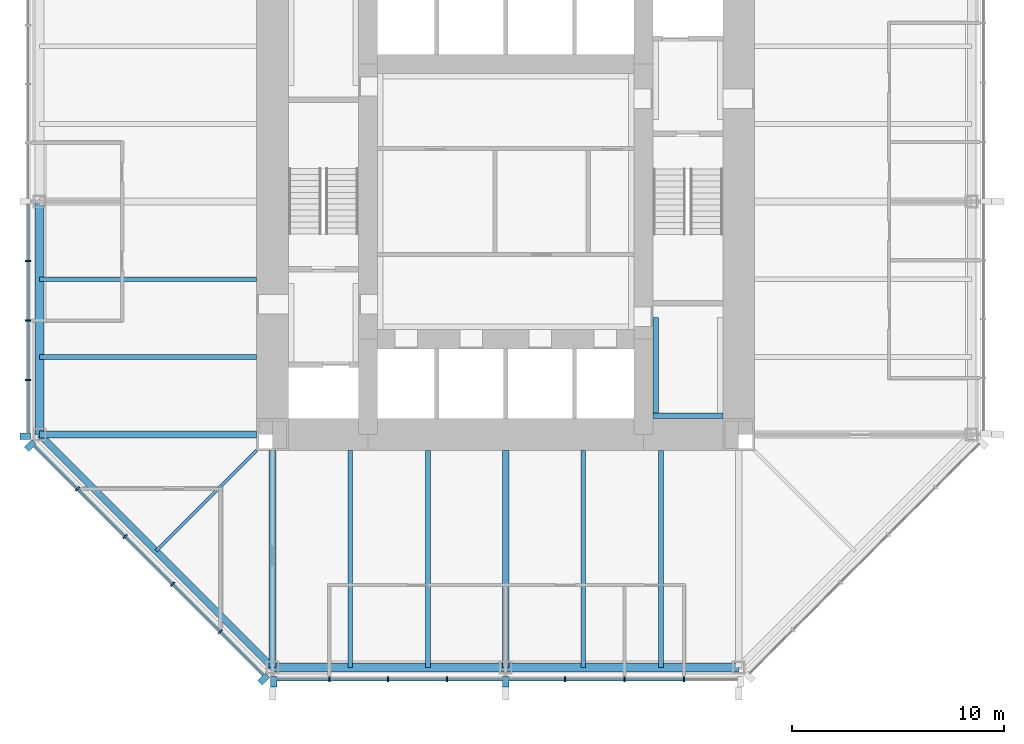
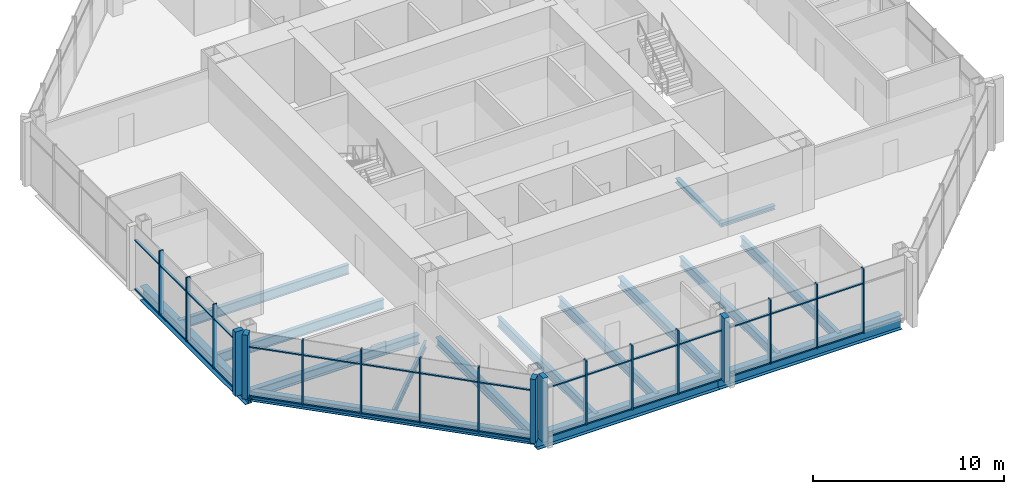
# One storey, part 2 of 12: 50 members, 16 beams, 3 elements without a shape of their own.
"""IFC4 building model written with IfcOpenShell, lengths in metres."""

from ifc_helpers import new_model, si_unit, direction, frame, origin, origin_2d, place, context, subcontext, project, spatial, rectangle, i_section, extrude, material, material_profile, profile_set, type_object, element, aggregate, save


model = new_model("IFC4")

# Units and contexts
model_context = context("Model", 3, precision=1e-05, world=origin(), true_north=direction((0.0, 1.0)))
body_context = subcontext(model_context, "Body", "Model", "MODEL_VIEW")
ifc_project = project(units=[si_unit("LENGTHUNIT", "METRE"), si_unit("AREAUNIT", "SQUARE_METRE"), si_unit("VOLUMEUNIT", "CUBIC_METRE"), si_unit("PLANEANGLEUNIT", "RADIAN"), si_unit("MASSUNIT", "GRAM", prefix="KILO")], contexts=[model_context])

# Site, building, storey
site_placement = place(None, origin())
site = spatial("IfcSite", under=ifc_project, at=site_placement, CompositionType="ELEMENT")
building_placement = place(site_placement, origin())
building = spatial("IfcBuilding", under=site, at=building_placement, Name="Trevanion Tower", CompositionType="ELEMENT")
storey_placement = place(building_placement, frame((0.0, 0.0, 158.199951171875)))
storey = spatial("IfcBuildingStorey", under=building, at=storey_placement, Name="L37", CompositionType="ELEMENT", Elevation=158.199951171875)

# Beams
ifc_material_1 = material(Name="Steel ASTM A992 Grade 50", Category="steel")
ifc_material_profile_1 = material_profile(ifc_material_1, i_section(OverallWidth=0.22900390625, OverallDepth=0.612060546875, WebThickness=0.011962890625, FlangeThickness=0.01953125, at=origin_2d()), Name="W24X84")
ifc_profile_set_1 = profile_set([ifc_material_profile_1], Name="Steel ASTM A992 Grade 50")
beam_type_1 = type_object("IfcBeamType", Name="B7 W24X84", PredefinedType="BEAM", material=ifc_profile_set_1)
for number, where, z_axis, x_axis, name in (
    (1, (-11.75, -3.666748046875, -0.49609375), (-1.0, 0.0, 0.0), (0.0, -1.0, 0.0), "B7 L37"),
    (2, (-11.75, -7.333251953125, -0.49609375), (-1.0, 0.0, 0.0), (0.0, -1.0, 0.0), "B7 L37"),
    (3, (-7.333251953125, -11.75, -0.49609375), (0.0, -1.0, 0.0), (1.0, 0.0, 0.0), "B7 L37"),
    (4, (-3.666748046875, -11.75, -0.49609375), (0.0, -1.0, 0.0), (1.0, 0.0, 0.0), "B7 L37"),
    (5, (3.666748046875, -11.75, -0.49609375), (0.0, -1.0, 0.0), (1.0, 0.0, 0.0), "B7 L37"),
    (6, (7.333251953125, -11.75, -0.49609375), (0.0, -1.0, 0.0), (1.0, 0.0, 0.0), "B7 L37"),
):
    element("IfcBeam", number, at=place(storey_placement, frame(where, z_axis=z_axis, x_axis=x_axis)), inside=storey, type_object=beam_type_1, Name=name, PredefinedType="BEAM", context=body_context, shape_type="SweptSolid", body=[
        extrude(i_section(OverallWidth=0.22900390625, OverallDepth=0.612060546875, WebThickness=0.011962890625, FlangeThickness=0.01953125, at=origin_2d()), origin(), (0.0, 0.0, 1.0), 10.25),
    ])
ifc_material_2 = material(Name="Steel ASTM A992 Grade 50", Category="steel")
ifc_material_profile_2 = material_profile(ifc_material_2, i_section(OverallWidth=0.15234375, OverallDepth=0.449462890625, WebThickness=0.007568359375, FlangeThickness=0.0107421875, at=origin_2d()), Name="W18X35")
ifc_profile_set_2 = profile_set([ifc_material_profile_2], Name="Steel ASTM A992 Grade 50")
beam_type_2 = type_object("IfcBeamType", Name="B8 W18X35", PredefinedType="BEAM", material=ifc_profile_set_2)
beam_1_placement = place(storey_placement, frame((-11.75, -11.75, -0.414794921875), z_axis=(-0.707106781187, -0.707106781187, 0.0), x_axis=(0.707106781187, -0.707106781187, 0.0)))
element("IfcBeam", 7, at=beam_1_placement, inside=storey, type_object=beam_type_2, Name="B8 L37", PredefinedType="BEAM", context=body_context, shape_type="SweptSolid", body=[
    extrude(i_section(OverallWidth=0.15234375, OverallDepth=0.449462890625, WebThickness=0.007568359375, FlangeThickness=0.0107421875, at=origin_2d()), origin(), (0.0, 0.0, 1.0), 6.717529296875),
])

# Curtain wall, members
ifc_material_3 = material(Name="Aluminium and glass", Category="aluminium")
curtain_wall_type = type_object("IfcCurtainWallType", Name="CW2 curtain wall", PredefinedType="USERDEFINED", material=ifc_material_3)
curtain_wall_1_placement = place(storey_placement, origin())
curtain_wall_1 = element("IfcCurtainWall", 8, at=curtain_wall_1_placement, inside=storey, type_object=curtain_wall_type, Name="CW2 L37 4", ObjectType="UNITISED CURTAIN WALL", PredefinedType="USERDEFINED")
ifc_material_4 = material(Name="Aluminium extrusion, anodised bronze", Category="aluminium")
ifc_material_profile_3 = material_profile(ifc_material_4, rectangle(XDim=0.074951171875, YDim=0.25, at=origin_2d()), Name="CW2 mullion")
ifc_profile_set_3 = profile_set([ifc_material_profile_3], Name="Aluminium extrusion, anodised bronze")
member_type_1 = type_object("IfcMemberType", Name="CW2 mullion", PredefinedType="MULLION", material=ifc_profile_set_3)
member_1_placement = place(storey_placement, frame((-22.550048828125, -2.806884765625, -0.18994140625), z_axis=(0.0, 0.0, 1.0), x_axis=(0.0, -1.0, 0.0)))
member_1 = element("IfcMember", 9, at=member_1_placement, type_object=member_type_1, Name="CW2 mullion 6", PredefinedType="MULLION", context=body_context, shape_type="SweptSolid", body=[
    extrude(rectangle(XDim=0.074951171875, YDim=0.25, at=origin_2d()), origin(), (0.0, 0.0, 1.0), 4.10009765625),
])
member_2_placement = place(storey_placement, frame((-22.550048828125, -5.614013671875, -0.18994140625), z_axis=(0.0, 0.0, 1.0), x_axis=(0.0, -1.0, 0.0)))
member_2 = element("IfcMember", 10, at=member_2_placement, type_object=member_type_1, Name="CW2 mullion 7", PredefinedType="MULLION", context=body_context, shape_type="SweptSolid", body=[
    extrude(rectangle(XDim=0.074951171875, YDim=0.25, at=origin_2d()), origin(), (0.0, 0.0, 1.0), 4.10009765625),
])
member_3_placement = place(storey_placement, frame((-22.550048828125, -8.4208984375, -0.18994140625), z_axis=(0.0, 0.0, 1.0), x_axis=(0.0, -1.0, 0.0)))
member_3 = element("IfcMember", 11, at=member_3_placement, type_object=member_type_1, Name="CW2 mullion 8", PredefinedType="MULLION", context=body_context, shape_type="SweptSolid", body=[
    extrude(rectangle(XDim=0.074951171875, YDim=0.25, at=origin_2d()), origin(), (0.0, 0.0, 1.0), 4.10009765625),
])

curtain_wall_2_placement = place(storey_placement, origin())
curtain_wall_2 = element("IfcCurtainWall", 12, at=curtain_wall_2_placement, inside=storey, type_object=curtain_wall_type, Name="CW2 L37 5", ObjectType="UNITISED CURTAIN WALL", PredefinedType="USERDEFINED")
member_4_placement = place(storey_placement, frame((-20.2119140625, -13.56591796875, -0.18994140625), z_axis=(0.0, 0.0, 1.0), x_axis=(0.707106781187, -0.707106781187, 0.0)))
member_4 = element("IfcMember", 13, at=member_4_placement, type_object=member_type_1, Name="CW2 mullion 2", PredefinedType="MULLION", context=body_context, shape_type="SweptSolid", body=[
    extrude(rectangle(XDim=0.074951171875, YDim=0.25, at=origin_2d()), origin(), (0.0, 0.0, 1.0), 4.10009765625),
])
member_5_placement = place(storey_placement, frame((-17.966064453125, -15.811767578125, -0.18994140625), z_axis=(0.0, 0.0, 1.0), x_axis=(0.707106781187, -0.707106781187, 0.0)))
member_5 = element("IfcMember", 14, at=member_5_placement, type_object=member_type_1, Name="CW2 mullion 3", PredefinedType="MULLION", context=body_context, shape_type="SweptSolid", body=[
    extrude(rectangle(XDim=0.074951171875, YDim=0.25, at=origin_2d()), origin(), (0.0, 0.0, 1.0), 4.10009765625),
])
member_6_placement = place(storey_placement, frame((-15.719970703125, -18.057861328125, -0.18994140625), z_axis=(0.0, 0.0, 1.0), x_axis=(0.707106781187, -0.707106781187, 0.0)))
member_6 = element("IfcMember", 15, at=member_6_placement, type_object=member_type_1, Name="CW2 mullion 4", PredefinedType="MULLION", context=body_context, shape_type="SweptSolid", body=[
    extrude(rectangle(XDim=0.074951171875, YDim=0.25, at=origin_2d()), origin(), (0.0, 0.0, 1.0), 4.10009765625),
])
member_7_placement = place(storey_placement, frame((-13.473876953125, -20.303955078125, -0.18994140625), z_axis=(0.0, 0.0, 1.0), x_axis=(0.707106781187, -0.707106781187, 0.0)))
member_7 = element("IfcMember", 16, at=member_7_placement, type_object=member_type_1, Name="CW2 mullion 5", PredefinedType="MULLION", context=body_context, shape_type="SweptSolid", body=[
    extrude(rectangle(XDim=0.074951171875, YDim=0.25, at=origin_2d()), origin(), (0.0, 0.0, 1.0), 4.10009765625),
])

curtain_wall_3_placement = place(storey_placement, origin())
curtain_wall_3 = element("IfcCurtainWall", 17, at=curtain_wall_3_placement, inside=storey, type_object=curtain_wall_type, Name="CW2 L37 6", ObjectType="UNITISED CURTAIN WALL", PredefinedType="USERDEFINED")
member_8_placement = place(storey_placement, frame((-8.323486328125, -22.550048828125, -0.18994140625), z_axis=(0.0, 0.0, 1.0), x_axis=(1.0, 0.0, 0.0)))
member_8 = element("IfcMember", 18, at=member_8_placement, type_object=member_type_1, Name="CW2 mullion 2", PredefinedType="MULLION", context=body_context, shape_type="SweptSolid", body=[
    extrude(rectangle(XDim=0.074951171875, YDim=0.25, at=origin_2d()), origin(), (0.0, 0.0, 1.0), 4.10009765625),
])
member_9_placement = place(storey_placement, frame((-5.548828125, -22.550048828125, -0.18994140625), z_axis=(0.0, 0.0, 1.0), x_axis=(1.0, 0.0, 0.0)))
member_9 = element("IfcMember", 19, at=member_9_placement, type_object=member_type_1, Name="CW2 mullion 3", PredefinedType="MULLION", context=body_context, shape_type="SweptSolid", body=[
    extrude(rectangle(XDim=0.074951171875, YDim=0.25, at=origin_2d()), origin(), (0.0, 0.0, 1.0), 4.10009765625),
])
member_10_placement = place(storey_placement, frame((-2.7744140625, -22.550048828125, -0.18994140625), z_axis=(0.0, 0.0, 1.0), x_axis=(1.0, 0.0, 0.0)))
member_10 = element("IfcMember", 20, at=member_10_placement, type_object=member_type_1, Name="CW2 mullion 4", PredefinedType="MULLION", context=body_context, shape_type="SweptSolid", body=[
    extrude(rectangle(XDim=0.074951171875, YDim=0.25, at=origin_2d()), origin(), (0.0, 0.0, 1.0), 4.10009765625),
])
member_11_placement = place(storey_placement, frame((2.806884765625, -22.550048828125, -0.18994140625), z_axis=(0.0, 0.0, 1.0), x_axis=(1.0, 0.0, 0.0)))
member_11 = element("IfcMember", 21, at=member_11_placement, type_object=member_type_1, Name="CW2 mullion 6", PredefinedType="MULLION", context=body_context, shape_type="SweptSolid", body=[
    extrude(rectangle(XDim=0.074951171875, YDim=0.25, at=origin_2d()), origin(), (0.0, 0.0, 1.0), 4.10009765625),
])
member_12_placement = place(storey_placement, frame((5.614013671875, -22.550048828125, -0.18994140625), z_axis=(0.0, 0.0, 1.0), x_axis=(1.0, 0.0, 0.0)))
member_12 = element("IfcMember", 22, at=member_12_placement, type_object=member_type_1, Name="CW2 mullion 7", PredefinedType="MULLION", context=body_context, shape_type="SweptSolid", body=[
    extrude(rectangle(XDim=0.074951171875, YDim=0.25, at=origin_2d()), origin(), (0.0, 0.0, 1.0), 4.10009765625),
])
member_13_placement = place(storey_placement, frame((8.4208984375, -22.550048828125, -0.18994140625), z_axis=(0.0, 0.0, 1.0), x_axis=(1.0, 0.0, 0.0)))
member_13 = element("IfcMember", 23, at=member_13_placement, type_object=member_type_1, Name="CW2 mullion 8", PredefinedType="MULLION", context=body_context, shape_type="SweptSolid", body=[
    extrude(rectangle(XDim=0.074951171875, YDim=0.25, at=origin_2d()), origin(), (0.0, 0.0, 1.0), 4.10009765625),
])

# Member
ifc_material_5 = material(Name="Aluminium extrusion, anodised bronze", Category="aluminium")
ifc_material_profile_4 = material_profile(ifc_material_5, rectangle(XDim=0.300048828125, YDim=0.5, at=origin_2d()), Name="CW2 pier mullion")
ifc_profile_set_4 = profile_set([ifc_material_profile_4], Name="Aluminium extrusion, anodised bronze")
member_type_2 = type_object("IfcMemberType", Name="CW2 pier mullion", PredefinedType="MULLION", material=ifc_profile_set_4)
member_14_placement = place(storey_placement, frame((-22.675048828125, -11.077880859375, -0.18994140625), z_axis=(0.0, 0.0, 1.0), x_axis=(0.0, -1.0, 0.0)))
member_14 = element("IfcMember", 24, at=member_14_placement, type_object=member_type_2, Name="CW2 pier mullion 9", PredefinedType="MULLION", context=body_context, shape_type="SweptSolid", body=[
    extrude(rectangle(XDim=0.300048828125, YDim=0.5, at=origin_2d()), origin(), (0.0, 0.0, 1.0), 4.10009765625),
])

member_15_placement = place(storey_placement, frame((-22.4404296875, -11.51416015625, -0.18994140625), z_axis=(0.0, 0.0, 1.0), x_axis=(0.707106781187, -0.707106781187, 0.0)))
member_15 = element("IfcMember", 25, at=member_15_placement, type_object=member_type_2, Name="CW2 pier mullion 1", PredefinedType="MULLION", context=body_context, shape_type="SweptSolid", body=[
    extrude(rectangle(XDim=0.300048828125, YDim=0.5, at=origin_2d()), origin(), (0.0, 0.0, 1.0), 4.10009765625),
])

member_16_placement = place(storey_placement, frame((-11.42236328125, -22.5322265625, -0.18994140625), z_axis=(0.0, 0.0, 1.0), x_axis=(0.707106781187, -0.707106781187, 0.0)))
member_16 = element("IfcMember", 26, at=member_16_placement, type_object=member_type_2, Name="CW2 pier mullion 6", PredefinedType="MULLION", context=body_context, shape_type="SweptSolid", body=[
    extrude(rectangle(XDim=0.300048828125, YDim=0.5, at=origin_2d()), origin(), (0.0, 0.0, 1.0), 4.10009765625),
])

member_17_placement = place(storey_placement, frame((-10.94775390625, -22.675048828125, -0.18994140625), z_axis=(0.0, 0.0, 1.0), x_axis=(1.0, 0.0, 0.0)))
member_17 = element("IfcMember", 27, at=member_17_placement, type_object=member_type_2, Name="CW2 pier mullion 1", PredefinedType="MULLION", context=body_context, shape_type="SweptSolid", body=[
    extrude(rectangle(XDim=0.300048828125, YDim=0.5, at=origin_2d()), origin(), (0.0, 0.0, 1.0), 4.10009765625),
])

member_18_placement = place(storey_placement, frame((0.0, -22.675048828125, -0.18994140625), z_axis=(0.0, 0.0, 1.0), x_axis=(1.0, 0.0, 0.0)))
member_18 = element("IfcMember", 28, at=member_18_placement, type_object=member_type_2, Name="CW2 pier mullion 5", PredefinedType="MULLION", context=body_context, shape_type="SweptSolid", body=[
    extrude(rectangle(XDim=0.300048828125, YDim=0.5, at=origin_2d()), origin(), (0.0, 0.0, 1.0), 4.10009765625),
])

ifc_material_6 = material(Name="Aluminium extrusion, anodised bronze", Category="aluminium")
ifc_material_profile_5 = material_profile(ifc_material_6, rectangle(XDim=0.14990234375, YDim=0.074951171875, at=origin_2d()), Name="CW2 transom")
ifc_profile_set_5 = profile_set([ifc_material_profile_5], Name="Aluminium extrusion, anodised bronze")
member_type_3 = type_object("IfcMemberType", Name="CW2 transom", PredefinedType="USERDEFINED", material=ifc_profile_set_5)
member_19_placement = place(storey_placement, frame((-22.550048828125, -0.14990234375, -0.15234375), z_axis=(0.0, -1.0, 0.0), x_axis=(1.0, 0.0, 0.0)))
member_19 = element("IfcMember", 29, at=member_19_placement, type_object=member_type_3, Name="CW2 transom 5.1", ObjectType="TRANSOM", PredefinedType="USERDEFINED", context=body_context, shape_type="SweptSolid", body=[
    extrude(rectangle(XDim=0.14990234375, YDim=0.074951171875, at=origin_2d()), origin(), (0.0, 0.0, 1.0), 2.619384765625),
])

member_20_placement = place(storey_placement, frame((-22.550048828125, -0.14990234375, 2.9599609375), z_axis=(0.0, -1.0, 0.0), x_axis=(1.0, 0.0, 0.0)))
member_20 = element("IfcMember", 30, at=member_20_placement, type_object=member_type_3, Name="CW2 transom 5.2", ObjectType="TRANSOM", PredefinedType="USERDEFINED", context=body_context, shape_type="SweptSolid", body=[
    extrude(rectangle(XDim=0.14990234375, YDim=0.074951171875, at=origin_2d()), origin(), (0.0, 0.0, 1.0), 2.619384765625),
])

member_21_placement = place(storey_placement, frame((-22.550048828125, -2.844482421875, -0.15234375), z_axis=(0.0, -1.0, 0.0), x_axis=(1.0, 0.0, 0.0)))
member_21 = element("IfcMember", 31, at=member_21_placement, type_object=member_type_3, Name="CW2 transom 6.1", ObjectType="TRANSOM", PredefinedType="USERDEFINED", context=body_context, shape_type="SweptSolid", body=[
    extrude(rectangle(XDim=0.14990234375, YDim=0.074951171875, at=origin_2d()), origin(), (0.0, 0.0, 1.0), 2.73193359375),
])

member_22_placement = place(storey_placement, frame((-22.550048828125, -2.844482421875, 2.9599609375), z_axis=(0.0, -1.0, 0.0), x_axis=(1.0, 0.0, 0.0)))
member_22 = element("IfcMember", 32, at=member_22_placement, type_object=member_type_3, Name="CW2 transom 6.2", ObjectType="TRANSOM", PredefinedType="USERDEFINED", context=body_context, shape_type="SweptSolid", body=[
    extrude(rectangle(XDim=0.14990234375, YDim=0.074951171875, at=origin_2d()), origin(), (0.0, 0.0, 1.0), 2.73193359375),
])

member_23_placement = place(storey_placement, frame((-22.550048828125, -5.6513671875, -0.15234375), z_axis=(0.0, -1.0, 0.0), x_axis=(1.0, 0.0, 0.0)))
member_23 = element("IfcMember", 33, at=member_23_placement, type_object=member_type_3, Name="CW2 transom 7.1", ObjectType="TRANSOM", PredefinedType="USERDEFINED", context=body_context, shape_type="SweptSolid", body=[
    extrude(rectangle(XDim=0.14990234375, YDim=0.074951171875, at=origin_2d()), origin(), (0.0, 0.0, 1.0), 2.73193359375),
])

member_24_placement = place(storey_placement, frame((-22.550048828125, -5.6513671875, 2.9599609375), z_axis=(0.0, -1.0, 0.0), x_axis=(1.0, 0.0, 0.0)))
member_24 = element("IfcMember", 34, at=member_24_placement, type_object=member_type_3, Name="CW2 transom 7.2", ObjectType="TRANSOM", PredefinedType="USERDEFINED", context=body_context, shape_type="SweptSolid", body=[
    extrude(rectangle(XDim=0.14990234375, YDim=0.074951171875, at=origin_2d()), origin(), (0.0, 0.0, 1.0), 2.73193359375),
])

member_25_placement = place(storey_placement, frame((-22.550048828125, -8.45849609375, -0.15234375), z_axis=(0.0, -1.0, 0.0), x_axis=(1.0, 0.0, 0.0)))
member_25 = element("IfcMember", 35, at=member_25_placement, type_object=member_type_3, Name="CW2 transom 8.1", ObjectType="TRANSOM", PredefinedType="USERDEFINED", context=body_context, shape_type="SweptSolid", body=[
    extrude(rectangle(XDim=0.14990234375, YDim=0.074951171875, at=origin_2d()), origin(), (0.0, 0.0, 1.0), 2.46923828125),
])

member_26_placement = place(storey_placement, frame((-22.550048828125, -8.45849609375, 2.9599609375), z_axis=(0.0, -1.0, 0.0), x_axis=(1.0, 0.0, 0.0)))
member_26 = element("IfcMember", 36, at=member_26_placement, type_object=member_type_3, Name="CW2 transom 8.2", ObjectType="TRANSOM", PredefinedType="USERDEFINED", context=body_context, shape_type="SweptSolid", body=[
    extrude(rectangle(XDim=0.14990234375, YDim=0.074951171875, at=origin_2d()), origin(), (0.0, 0.0, 1.0), 2.46923828125),
])

aggregate(curtain_wall_1, [member_1, member_2, member_3, member_14, member_19, member_20, member_21, member_22, member_23, member_24, member_25, member_26])

member_27_placement = place(storey_placement, frame((-22.245849609375, -11.531982421875, -0.15234375), z_axis=(0.707106781187, -0.707106781187, 0.0), x_axis=(0.707106781187, 0.707106781187, 0.0)))
member_27 = element("IfcMember", 37, at=member_27_placement, type_object=member_type_3, Name="CW2 transom 1.1", ObjectType="TRANSOM", PredefinedType="USERDEFINED", context=body_context, shape_type="SweptSolid", body=[
    extrude(rectangle(XDim=0.14990234375, YDim=0.074951171875, at=origin_2d()), origin(), (0.0, 0.0, 1.0), 2.8388671875),
])

member_28_placement = place(storey_placement, frame((-22.245849609375, -11.531982421875, 2.9599609375), z_axis=(0.707106781187, -0.707106781187, 0.0), x_axis=(0.707106781187, 0.707106781187, 0.0)))
member_28 = element("IfcMember", 38, at=member_28_placement, type_object=member_type_3, Name="CW2 transom 1.2", ObjectType="TRANSOM", PredefinedType="USERDEFINED", context=body_context, shape_type="SweptSolid", body=[
    extrude(rectangle(XDim=0.14990234375, YDim=0.074951171875, at=origin_2d()), origin(), (0.0, 0.0, 1.0), 2.8388671875),
])

member_29_placement = place(storey_placement, frame((-20.185546875, -13.59228515625, -0.15234375), z_axis=(0.707106781187, -0.707106781187, 0.0), x_axis=(0.707106781187, 0.707106781187, 0.0)))
member_29 = element("IfcMember", 39, at=member_29_placement, type_object=member_type_3, Name="CW2 transom 2.1", ObjectType="TRANSOM", PredefinedType="USERDEFINED", context=body_context, shape_type="SweptSolid", body=[
    extrude(rectangle(XDim=0.14990234375, YDim=0.074951171875, at=origin_2d()), origin(), (0.0, 0.0, 1.0), 3.1015625),
])

member_30_placement = place(storey_placement, frame((-20.185546875, -13.59228515625, 2.9599609375), z_axis=(0.707106781187, -0.707106781187, 0.0), x_axis=(0.707106781187, 0.707106781187, 0.0)))
member_30 = element("IfcMember", 40, at=member_30_placement, type_object=member_type_3, Name="CW2 transom 2.2", ObjectType="TRANSOM", PredefinedType="USERDEFINED", context=body_context, shape_type="SweptSolid", body=[
    extrude(rectangle(XDim=0.14990234375, YDim=0.074951171875, at=origin_2d()), origin(), (0.0, 0.0, 1.0), 3.1015625),
])

member_31_placement = place(storey_placement, frame((-17.939453125, -15.83837890625, -0.15234375), z_axis=(0.707106781187, -0.707106781187, 0.0), x_axis=(0.707106781187, 0.707106781187, 0.0)))
member_31 = element("IfcMember", 41, at=member_31_placement, type_object=member_type_3, Name="CW2 transom 3.1", ObjectType="TRANSOM", PredefinedType="USERDEFINED", context=body_context, shape_type="SweptSolid", body=[
    extrude(rectangle(XDim=0.14990234375, YDim=0.074951171875, at=origin_2d()), origin(), (0.0, 0.0, 1.0), 3.1015625),
])

member_32_placement = place(storey_placement, frame((-17.939453125, -15.83837890625, 2.9599609375), z_axis=(0.707106781187, -0.707106781187, 0.0), x_axis=(0.707106781187, 0.707106781187, 0.0)))
member_32 = element("IfcMember", 42, at=member_32_placement, type_object=member_type_3, Name="CW2 transom 3.2", ObjectType="TRANSOM", PredefinedType="USERDEFINED", context=body_context, shape_type="SweptSolid", body=[
    extrude(rectangle(XDim=0.14990234375, YDim=0.074951171875, at=origin_2d()), origin(), (0.0, 0.0, 1.0), 3.1015625),
])

member_33_placement = place(storey_placement, frame((-15.693359375, -18.08447265625, -0.15234375), z_axis=(0.707106781187, -0.707106781187, 0.0), x_axis=(0.707106781187, 0.707106781187, 0.0)))
member_33 = element("IfcMember", 43, at=member_33_placement, type_object=member_type_3, Name="CW2 transom 4.1", ObjectType="TRANSOM", PredefinedType="USERDEFINED", context=body_context, shape_type="SweptSolid", body=[
    extrude(rectangle(XDim=0.14990234375, YDim=0.074951171875, at=origin_2d()), origin(), (0.0, 0.0, 1.0), 3.10107421875),
])

member_34_placement = place(storey_placement, frame((-15.693359375, -18.08447265625, 2.9599609375), z_axis=(0.707106781187, -0.707106781187, 0.0), x_axis=(0.707106781187, 0.707106781187, 0.0)))
member_34 = element("IfcMember", 44, at=member_34_placement, type_object=member_type_3, Name="CW2 transom 4.2", ObjectType="TRANSOM", PredefinedType="USERDEFINED", context=body_context, shape_type="SweptSolid", body=[
    extrude(rectangle(XDim=0.14990234375, YDim=0.074951171875, at=origin_2d()), origin(), (0.0, 0.0, 1.0), 3.10107421875),
])

member_35_placement = place(storey_placement, frame((-13.447509765625, -20.33056640625, -0.15234375), z_axis=(0.707149778163, -0.707063781595, 0.0), x_axis=(0.707063781595, 0.707149778163, 0.0)))
member_35 = element("IfcMember", 45, at=member_35_placement, type_object=member_type_3, Name="CW2 transom 5.1", ObjectType="TRANSOM", PredefinedType="USERDEFINED", context=body_context, shape_type="SweptSolid", body=[
    extrude(rectangle(XDim=0.14990234375, YDim=0.074951171875, at=origin_2d()), origin(), (0.0, 0.0, 1.0), 2.8388671875),
])

member_36_placement = place(storey_placement, frame((-13.447509765625, -20.33056640625, 2.9599609375), z_axis=(0.707149778163, -0.707063781595, 0.0), x_axis=(0.707063781595, 0.707149778163, 0.0)))
member_36 = element("IfcMember", 46, at=member_36_placement, type_object=member_type_3, Name="CW2 transom 5.2", ObjectType="TRANSOM", PredefinedType="USERDEFINED", context=body_context, shape_type="SweptSolid", body=[
    extrude(rectangle(XDim=0.14990234375, YDim=0.074951171875, at=origin_2d()), origin(), (0.0, 0.0, 1.0), 2.8388671875),
])

aggregate(curtain_wall_2, [member_15, member_4, member_5, member_6, member_7, member_16, member_27, member_28, member_29, member_30, member_31, member_32, member_33, member_34, member_35, member_36])

member_37_placement = place(storey_placement, frame((-10.7978515625, -22.550048828125, -0.15234375), z_axis=(1.0, 0.0, 0.0), x_axis=(0.0, 1.0, 0.0)))
member_37 = element("IfcMember", 47, at=member_37_placement, type_object=member_type_3, Name="CW2 transom 1.1", ObjectType="TRANSOM", PredefinedType="USERDEFINED", context=body_context, shape_type="SweptSolid", body=[
    extrude(rectangle(XDim=0.14990234375, YDim=0.074951171875, at=origin_2d()), origin(), (0.0, 0.0, 1.0), 2.43701171875),
])

member_38_placement = place(storey_placement, frame((-10.7978515625, -22.550048828125, 2.9599609375), z_axis=(1.0, 0.0, 0.0), x_axis=(0.0, 1.0, 0.0)))
member_38 = element("IfcMember", 48, at=member_38_placement, type_object=member_type_3, Name="CW2 transom 1.2", ObjectType="TRANSOM", PredefinedType="USERDEFINED", context=body_context, shape_type="SweptSolid", body=[
    extrude(rectangle(XDim=0.14990234375, YDim=0.074951171875, at=origin_2d()), origin(), (0.0, 0.0, 1.0), 2.43701171875),
])

member_39_placement = place(storey_placement, frame((-8.285888671875, -22.550048828125, -0.15234375), z_axis=(1.0, 0.0, 0.0), x_axis=(0.0, 1.0, 0.0)))
member_39 = element("IfcMember", 49, at=member_39_placement, type_object=member_type_3, Name="CW2 transom 2.1", ObjectType="TRANSOM", PredefinedType="USERDEFINED", context=body_context, shape_type="SweptSolid", body=[
    extrude(rectangle(XDim=0.14990234375, YDim=0.074951171875, at=origin_2d()), origin(), (0.0, 0.0, 1.0), 2.699462890625),
])

member_40_placement = place(storey_placement, frame((-8.285888671875, -22.550048828125, 2.9599609375), z_axis=(1.0, 0.0, 0.0), x_axis=(0.0, 1.0, 0.0)))
member_40 = element("IfcMember", 50, at=member_40_placement, type_object=member_type_3, Name="CW2 transom 2.2", ObjectType="TRANSOM", PredefinedType="USERDEFINED", context=body_context, shape_type="SweptSolid", body=[
    extrude(rectangle(XDim=0.14990234375, YDim=0.074951171875, at=origin_2d()), origin(), (0.0, 0.0, 1.0), 2.699462890625),
])

member_41_placement = place(storey_placement, frame((-5.511474609375, -22.550048828125, -0.15234375), z_axis=(1.0, 0.0, 0.0), x_axis=(0.0, 1.0, 0.0)))
member_41 = element("IfcMember", 51, at=member_41_placement, type_object=member_type_3, Name="CW2 transom 3.1", ObjectType="TRANSOM", PredefinedType="USERDEFINED", context=body_context, shape_type="SweptSolid", body=[
    extrude(rectangle(XDim=0.14990234375, YDim=0.074951171875, at=origin_2d()), origin(), (0.0, 0.0, 1.0), 2.699462890625),
])

member_42_placement = place(storey_placement, frame((-5.511474609375, -22.550048828125, 2.9599609375), z_axis=(1.0, 0.0, 0.0), x_axis=(0.0, 1.0, 0.0)))
member_42 = element("IfcMember", 52, at=member_42_placement, type_object=member_type_3, Name="CW2 transom 3.2", ObjectType="TRANSOM", PredefinedType="USERDEFINED", context=body_context, shape_type="SweptSolid", body=[
    extrude(rectangle(XDim=0.14990234375, YDim=0.074951171875, at=origin_2d()), origin(), (0.0, 0.0, 1.0), 2.699462890625),
])

member_43_placement = place(storey_placement, frame((-2.737060546875, -22.550048828125, -0.15234375), z_axis=(1.0, 0.0, 0.0), x_axis=(0.0, 1.0, 0.0)))
member_43 = element("IfcMember", 53, at=member_43_placement, type_object=member_type_3, Name="CW2 transom 4.1", ObjectType="TRANSOM", PredefinedType="USERDEFINED", context=body_context, shape_type="SweptSolid", body=[
    extrude(rectangle(XDim=0.14990234375, YDim=0.074951171875, at=origin_2d()), origin(), (0.0, 0.0, 1.0), 2.587158203125),
])

member_44_placement = place(storey_placement, frame((-2.737060546875, -22.550048828125, 2.9599609375), z_axis=(1.0, 0.0, 0.0), x_axis=(0.0, 1.0, 0.0)))
member_44 = element("IfcMember", 54, at=member_44_placement, type_object=member_type_3, Name="CW2 transom 4.2", ObjectType="TRANSOM", PredefinedType="USERDEFINED", context=body_context, shape_type="SweptSolid", body=[
    extrude(rectangle(XDim=0.14990234375, YDim=0.074951171875, at=origin_2d()), origin(), (0.0, 0.0, 1.0), 2.587158203125),
])

member_45_placement = place(storey_placement, frame((0.14990234375, -22.550048828125, -0.15234375), z_axis=(1.0, 0.0, 0.0), x_axis=(0.0, 1.0, 0.0)))
member_45 = element("IfcMember", 55, at=member_45_placement, type_object=member_type_3, Name="CW2 transom 5.1", ObjectType="TRANSOM", PredefinedType="USERDEFINED", context=body_context, shape_type="SweptSolid", body=[
    extrude(rectangle(XDim=0.14990234375, YDim=0.074951171875, at=origin_2d()), origin(), (0.0, 0.0, 1.0), 2.619384765625),
])

member_46_placement = place(storey_placement, frame((0.14990234375, -22.550048828125, 2.9599609375), z_axis=(1.0, 0.0, 0.0), x_axis=(0.0, 1.0, 0.0)))
member_46 = element("IfcMember", 56, at=member_46_placement, type_object=member_type_3, Name="CW2 transom 5.2", ObjectType="TRANSOM", PredefinedType="USERDEFINED", context=body_context, shape_type="SweptSolid", body=[
    extrude(rectangle(XDim=0.14990234375, YDim=0.074951171875, at=origin_2d()), origin(), (0.0, 0.0, 1.0), 2.619384765625),
])

member_47_placement = place(storey_placement, frame((2.844482421875, -22.550048828125, -0.15234375), z_axis=(1.0, 0.0, 0.0), x_axis=(0.0, 1.0, 0.0)))
member_47 = element("IfcMember", 57, at=member_47_placement, type_object=member_type_3, Name="CW2 transom 6.1", ObjectType="TRANSOM", PredefinedType="USERDEFINED", context=body_context, shape_type="SweptSolid", body=[
    extrude(rectangle(XDim=0.14990234375, YDim=0.074951171875, at=origin_2d()), origin(), (0.0, 0.0, 1.0), 2.73193359375),
])

member_48_placement = place(storey_placement, frame((2.844482421875, -22.550048828125, 2.9599609375), z_axis=(1.0, 0.0, 0.0), x_axis=(0.0, 1.0, 0.0)))
member_48 = element("IfcMember", 58, at=member_48_placement, type_object=member_type_3, Name="CW2 transom 6.2", ObjectType="TRANSOM", PredefinedType="USERDEFINED", context=body_context, shape_type="SweptSolid", body=[
    extrude(rectangle(XDim=0.14990234375, YDim=0.074951171875, at=origin_2d()), origin(), (0.0, 0.0, 1.0), 2.73193359375),
])

member_49_placement = place(storey_placement, frame((5.6513671875, -22.550048828125, -0.15234375), z_axis=(1.0, 0.0, 0.0), x_axis=(0.0, 1.0, 0.0)))
member_49 = element("IfcMember", 59, at=member_49_placement, type_object=member_type_3, Name="CW2 transom 7.1", ObjectType="TRANSOM", PredefinedType="USERDEFINED", context=body_context, shape_type="SweptSolid", body=[
    extrude(rectangle(XDim=0.14990234375, YDim=0.074951171875, at=origin_2d()), origin(), (0.0, 0.0, 1.0), 2.73193359375),
])

member_50_placement = place(storey_placement, frame((5.6513671875, -22.550048828125, 2.9599609375), z_axis=(1.0, 0.0, 0.0), x_axis=(0.0, 1.0, 0.0)))
member_50 = element("IfcMember", 60, at=member_50_placement, type_object=member_type_3, Name="CW2 transom 7.2", ObjectType="TRANSOM", PredefinedType="USERDEFINED", context=body_context, shape_type="SweptSolid", body=[
    extrude(rectangle(XDim=0.14990234375, YDim=0.074951171875, at=origin_2d()), origin(), (0.0, 0.0, 1.0), 2.73193359375),
])

aggregate(curtain_wall_3, [member_17, member_8, member_9, member_10, member_18, member_11, member_12, member_13, member_37, member_38, member_39, member_40, member_41, member_42, member_43, member_44, member_45, member_46, member_47, member_48, member_49, member_50])

# Beams
ifc_material_7 = material(Name="Steel ASTM A992 Grade 50", Category="steel")
ifc_material_profile_6 = material_profile(ifc_material_7, i_section(OverallWidth=0.320068359375, OverallDepth=0.584228515625, WebThickness=0.023193359375, FlangeThickness=0.04150390625, at=origin_2d()), Name="W21X201")
ifc_profile_set_6 = profile_set([ifc_material_profile_6], Name="Steel ASTM A992 Grade 50")
beam_type_3 = type_object("IfcBeamType", Name="G4 W21X201", PredefinedType="BEAM", material=ifc_profile_set_6)
for number, where, z_axis, x_axis, name in (
    (61, (-11.75, -11.0, -0.48193359375), (-1.0, 0.0, 0.0), (0.0, -1.0, 0.0), "G4 L37"),
    (62, (-11.0, -11.75, -0.48193359375), (0.0, -1.0, 0.0), (1.0, 0.0, 0.0), "G4 L37"),
    (63, (0.0, -11.75, -0.48193359375), (0.0, -1.0, 0.0), (1.0, 0.0, 0.0), "G4 L37"),
):
    element("IfcBeam", number, at=place(storey_placement, frame(where, z_axis=z_axis, x_axis=x_axis)), inside=storey, type_object=beam_type_3, Name=name, PredefinedType="BEAM", context=body_context, shape_type="SweptSolid", body=[
        extrude(i_section(OverallWidth=0.320068359375, OverallDepth=0.584228515625, WebThickness=0.023193359375, FlangeThickness=0.04150390625, at=origin_2d()), origin(), (0.0, 0.0, 1.0), 10.25),
    ])
ifc_material_8 = material(Name="Steel ASTM A992 Grade 50", Category="steel")
ifc_material_profile_7 = material_profile(ifc_material_8, i_section(OverallWidth=0.256591796875, OverallDepth=0.26416015625, WebThickness=0.011962890625, FlangeThickness=0.01953125, at=origin_2d()), Name="W10X68")
ifc_profile_set_7 = profile_set([ifc_material_profile_7], Name="Steel ASTM A992 Grade 50")
beam_type_4 = type_object("IfcBeamType", Name="LB1 W10X68", PredefinedType="BEAM", material=ifc_profile_set_7)
beam_2_placement = place(storey_placement, frame((7.078369140625, -10.25, -0.33203125), z_axis=(0.0, 1.0, 0.0), x_axis=(-1.0, 0.0, 0.0)))
element("IfcBeam", 64, at=beam_2_placement, inside=storey, type_object=beam_type_4, Name="LB1 L37", PredefinedType="BEAM", context=body_context, shape_type="SweptSolid", body=[
    extrude(i_section(OverallWidth=0.256591796875, OverallDepth=0.26416015625, WebThickness=0.011962890625, FlangeThickness=0.01953125, at=origin_2d()), origin(), (0.0, 0.0, 1.0), 4.77490234375),
])
beam_3_placement = place(storey_placement, frame((6.949951171875, -10.12158203125, -0.33203125), z_axis=(1.0, 0.0, 0.0), x_axis=(0.0, 1.0, 0.0)))
element("IfcBeam", 65, at=beam_3_placement, inside=storey, type_object=beam_type_4, Name="LB1 L37", PredefinedType="BEAM", context=body_context, shape_type="SweptSolid", body=[
    extrude(i_section(OverallWidth=0.256591796875, OverallDepth=0.26416015625, WebThickness=0.011962890625, FlangeThickness=0.01953125, at=origin_2d()), origin(), (0.0, 0.0, 1.0), 3.300048828125),
])
ifc_material_9 = material(Name="Steel ASTM A992 Grade 50", Category="steel")
ifc_material_profile_8 = material_profile(ifc_material_9, i_section(OverallWidth=0.419189453125, OverallDepth=0.927001953125, WebThickness=0.019287109375, FlangeThickness=0.031982421875, at=origin_2d()), Name="W36X231")
ifc_profile_set_8 = profile_set([ifc_material_profile_8], Name="Steel ASTM A992 Grade 50")
beam_type_5 = type_object("IfcBeamType", Name="SB4 W36X231", PredefinedType="SPANDREL", material=ifc_profile_set_8)
for number, where, z_axis, x_axis, name in (
    (66, (-22.0, 0.0, -0.653564453125), (0.0, -1.0, 0.0), (1.0, 0.0, 0.0), "SB4 L37"),
    (67, (-11.0, -22.0, -0.653564453125), (1.0, 0.0, 0.0), (0.0, 1.0, 0.0), "SB4 L37"),
    (68, (0.0, -22.0, -0.653564453125), (1.0, 0.0, 0.0), (0.0, 1.0, 0.0), "SB4 L37"),
):
    element("IfcBeam", number, at=place(storey_placement, frame(where, z_axis=z_axis, x_axis=x_axis)), inside=storey, type_object=beam_type_5, Name=name, PredefinedType="SPANDREL", context=body_context, shape_type="SweptSolid", body=[
        extrude(i_section(OverallWidth=0.419189453125, OverallDepth=0.927001953125, WebThickness=0.019287109375, FlangeThickness=0.031982421875, at=origin_2d()), origin(), (0.0, 0.0, 1.0), 11.0),
    ])
ifc_material_10 = material(Name="Steel ASTM A992 Grade 50", Category="steel")
ifc_material_profile_9 = material_profile(ifc_material_10, i_section(OverallWidth=0.32763671875, OverallDepth=0.62744140625, WebThickness=0.0166015625, FlangeThickness=0.027587890625, at=origin_2d()), Name="W24X146")
ifc_profile_set_9 = profile_set([ifc_material_profile_9], Name="Steel ASTM A992 Grade 50")
beam_type_6 = type_object("IfcBeamType", Name="SB5 W24X146", PredefinedType="SPANDREL", material=ifc_profile_set_9)
beam_4_placement = place(storey_placement, frame((-22.0, -11.0, -0.503662109375), z_axis=(0.707106781187, -0.707106781187, 0.0), x_axis=(0.707106781187, 0.707106781187, 0.0)))
element("IfcBeam", 69, at=beam_4_placement, inside=storey, type_object=beam_type_6, Name="SB5 L37", PredefinedType="SPANDREL", context=body_context, shape_type="SweptSolid", body=[
    extrude(i_section(OverallWidth=0.32763671875, OverallDepth=0.62744140625, WebThickness=0.0166015625, FlangeThickness=0.027587890625, at=origin_2d()), origin(), (0.0, 0.0, 1.0), 15.556396484375),
])

save(model, "model.ifc")
